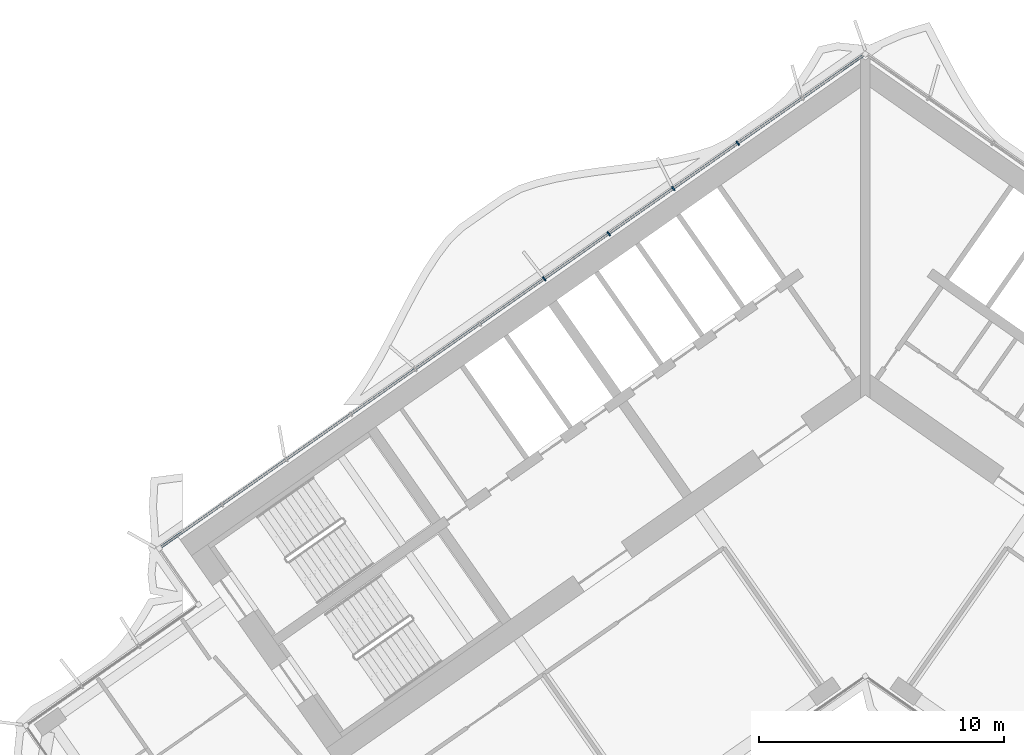
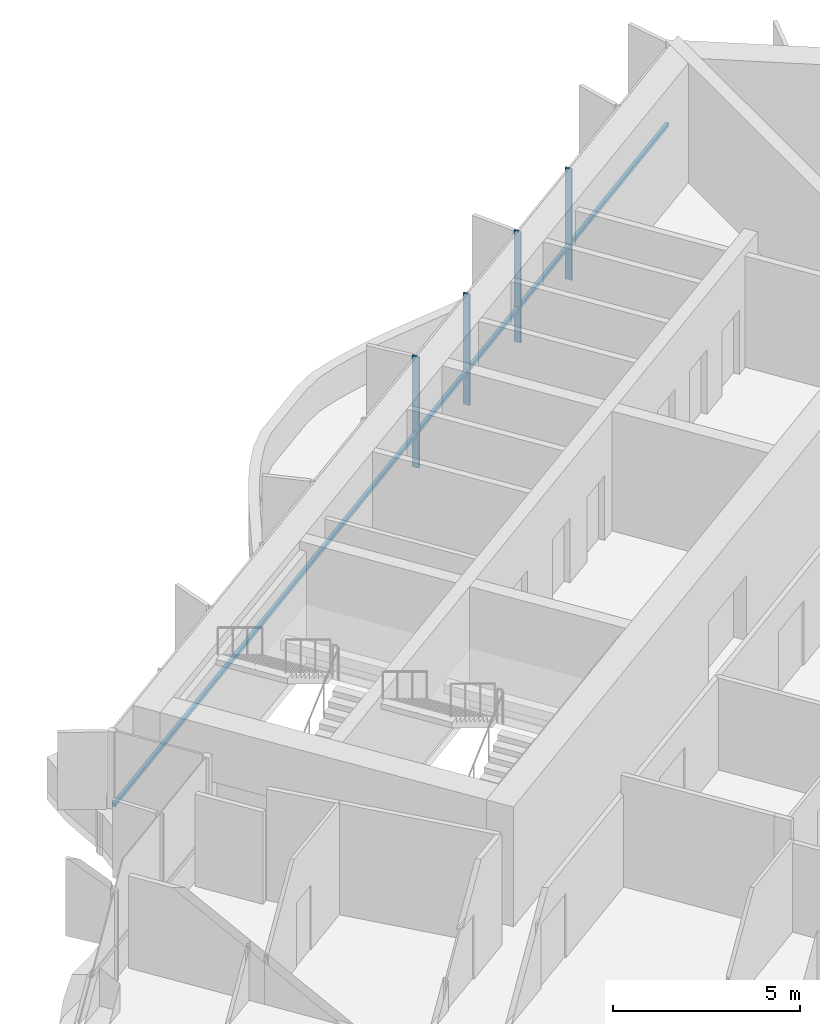
# One storey, part 7 of 21: 5 members, 1 element without a shape of its own.
"""IFC4 building model written with IfcOpenShell, lengths in metres."""

from ifc_helpers import new_model, si_unit, direction, frame, origin, origin_2d, place, context, subcontext, project, spatial, rectangle, extrude, material, material_profile, profile_set, type_object, element, aggregate, save


model = new_model("IFC4")

# Units and contexts
model_context = context("Model", 3, precision=1e-05, world=origin(), true_north=direction((0.0, 1.0)))
body_context = subcontext(model_context, "Body", "Model", "MODEL_VIEW")
ifc_project = project(units=[si_unit("LENGTHUNIT", "METRE"), si_unit("AREAUNIT", "SQUARE_METRE"), si_unit("VOLUMEUNIT", "CUBIC_METRE"), si_unit("PLANEANGLEUNIT", "RADIAN"), si_unit("MASSUNIT", "GRAM", prefix="KILO")], contexts=[model_context])

# Site, building, storey
site_placement = place(None, origin())
site = spatial("IfcSite", under=ifc_project, at=site_placement, CompositionType="ELEMENT")
building_placement = place(site_placement, origin())
building = spatial("IfcBuilding", under=site, at=building_placement, Name="Tel Ilan Convention Tower", CompositionType="ELEMENT")
storey_placement = place(building_placement, frame((0.0, 0.0, 210.0)))
storey = spatial("IfcBuildingStorey", under=building, at=storey_placement, Name="L49", CompositionType="ELEMENT", Elevation=210.0)

# Curtain wall, members
ifc_material_1 = material(Name="Aluminium, bronze anodised", Category="aluminium")
curtain_wall_type = type_object("IfcCurtainWallType", Name="CW2 STICK CURTAIN WALL, SPANDREL PANELS", PredefinedType="NOTDEFINED", material=ifc_material_1)
curtain_wall_placement = place(storey_placement, origin())
curtain_wall = element("IfcCurtainWall", 1, at=curtain_wall_placement, inside=storey, type_object=curtain_wall_type, Name="Curtain wall CW2-38.01", PredefinedType="NOTDEFINED")
ifc_material_2 = material(Name="Aluminium, bronze anodised", Category="aluminium")
ifc_material_profile_1 = material_profile(ifc_material_2, rectangle(XDim=0.06005859375, YDim=0.199951171875, at=origin_2d()), Name="CW MULLION 60x200")
ifc_profile_set_1 = profile_set([ifc_material_profile_1], Name="Aluminium, bronze anodised")
member_type_1 = type_object("IfcMemberType", Name="CW MULLION 60x200", PredefinedType="MULLION", material=ifc_profile_set_1)
member_1_placement = place(storey_placement, frame((-5.207763671875, 9.049560546875, 0.0), z_axis=(0.0, 0.0, 1.0), x_axis=(-0.819152044289, -0.573576436351, 0.0)))
member_1 = element("IfcMember", 2, at=member_1_placement, type_object=member_type_1, Name="Mullion", PredefinedType="MULLION", context=body_context, shape_type="SweptSolid", body=[
    extrude(rectangle(XDim=0.06005859375, YDim=0.199951171875, at=origin_2d()), origin(), (0.0, 0.0, 1.0), 3.6201171875),
])
member_2_placement = place(storey_placement, frame((-7.840576171875, 7.2060546875, 0.0), z_axis=(0.0, 0.0, 1.0), x_axis=(-0.819152044289, -0.573576436351, 0.0)))
member_2 = element("IfcMember", 3, at=member_2_placement, type_object=member_type_1, Name="Mullion", PredefinedType="MULLION", context=body_context, shape_type="SweptSolid", body=[
    extrude(rectangle(XDim=0.06005859375, YDim=0.199951171875, at=origin_2d()), origin(), (0.0, 0.0, 1.0), 3.6201171875),
])
member_3_placement = place(storey_placement, frame((-10.47314453125, 5.36279296875, 0.0), z_axis=(0.0, 0.0, 1.0), x_axis=(-0.819152044289, -0.573576436351, 0.0)))
member_3 = element("IfcMember", 4, at=member_3_placement, type_object=member_type_1, Name="Mullion", PredefinedType="MULLION", context=body_context, shape_type="SweptSolid", body=[
    extrude(rectangle(XDim=0.06005859375, YDim=0.199951171875, at=origin_2d()), origin(), (0.0, 0.0, 1.0), 3.6201171875),
])
member_4_placement = place(storey_placement, frame((-13.105712890625, 3.519287109375, 0.0), z_axis=(0.0, 0.0, 1.0), x_axis=(-0.819152044289, -0.573576436351, 0.0)))
member_4 = element("IfcMember", 5, at=member_4_placement, type_object=member_type_1, Name="Mullion", PredefinedType="MULLION", context=body_context, shape_type="SweptSolid", body=[
    extrude(rectangle(XDim=0.06005859375, YDim=0.199951171875, at=origin_2d()), origin(), (0.0, 0.0, 1.0), 3.6201171875),
])
ifc_material_3 = material(Name="Aluminium, bronze anodised", Category="aluminium")
ifc_material_profile_2 = material_profile(ifc_material_3, rectangle(XDim=0.10009765625, YDim=0.1201171875, at=origin_2d()), Name="CW TRANSOM 100x120")
ifc_profile_set_2 = profile_set([ifc_material_profile_2], Name="Aluminium, bronze anodised")
member_type_2 = type_object("IfcMemberType", Name="CW TRANSOM 100x120", PredefinedType="USERDEFINED", material=ifc_profile_set_2)
member_5_placement = place(storey_placement, frame((-0.1064453125, 12.62158203125, 1.10009765625), z_axis=(-0.819150201937, -0.573579067494, 0.0), x_axis=(0.573579067494, -0.819150201937, 0.0)))
member_5 = element("IfcMember", 6, at=member_5_placement, type_object=member_type_2, Name="Transom", ObjectType="TRANSOM", PredefinedType="USERDEFINED", context=body_context, shape_type="SweptSolid", body=[
    extrude(rectangle(XDim=0.10009765625, YDim=0.1201171875, at=origin_2d()), origin(), (0.0, 0.0, 1.0), 34.9521484375),
])
aggregate(curtain_wall, [member_1, member_2, member_3, member_4, member_5])

save(model, "model.ifc")
